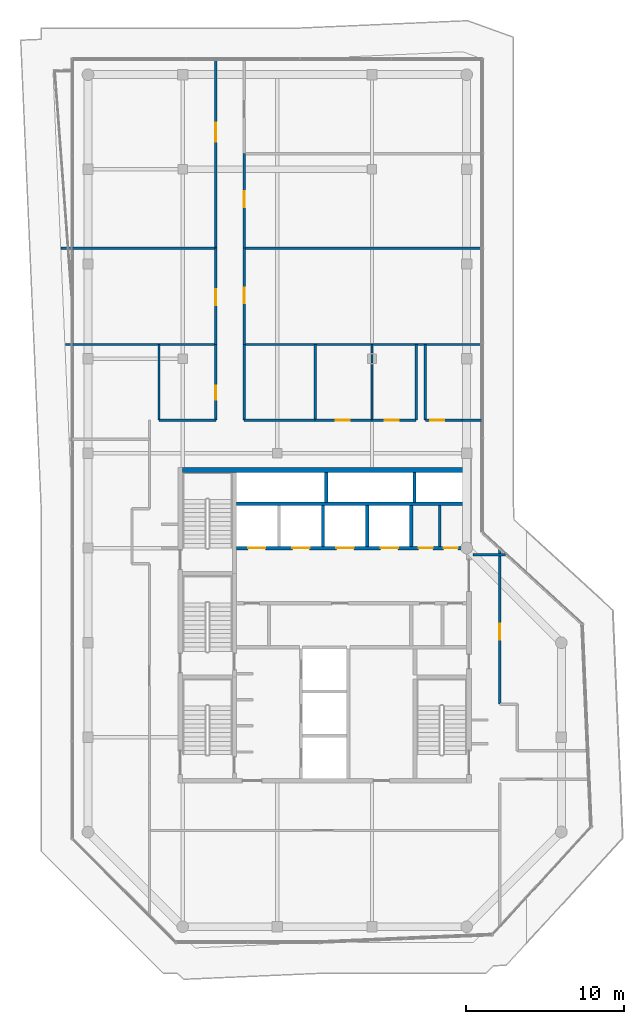
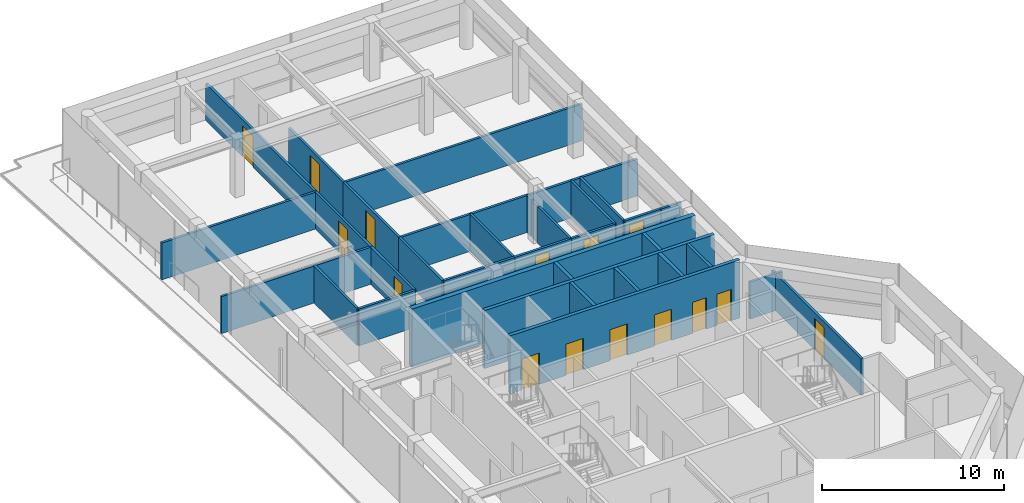
# One storey, part 16 of 19: 34 walls, 15 doors, 15 openings.
"""IFC4 building model written with IfcOpenShell, lengths in metres."""

from ifc_helpers import new_model, si_unit, direction, frame, frame_2d, origin, place, context, subcontext, project, spatial, rectangle, extrude, material, layer, layer_set, type_object, element, fill, save


model = new_model("IFC4")

# Units and contexts
model_context = context("Model", 3, precision=1e-05, world=origin(), true_north=direction((0.0, 1.0)))
body_context = subcontext(model_context, "Body", "Model", "MODEL_VIEW")
ifc_project = project(units=[si_unit("LENGTHUNIT", "METRE"), si_unit("AREAUNIT", "SQUARE_METRE"), si_unit("VOLUMEUNIT", "CUBIC_METRE"), si_unit("PLANEANGLEUNIT", "RADIAN"), si_unit("MASSUNIT", "GRAM", prefix="KILO")], contexts=[model_context])

# Site, building, storey
site_placement = place(None, origin())
site = spatial("IfcSite", under=ifc_project, at=site_placement, CompositionType="ELEMENT")
building_placement = place(site_placement, origin())
building = spatial("IfcBuilding", under=site, at=building_placement, Name="Welwitschia Terrace Campus", CompositionType="ELEMENT")
storey_placement = place(building_placement, frame((0.0, 0.0, 323.0)))
storey = spatial("IfcBuildingStorey", under=building, at=storey_placement, Name="L72", CompositionType="ELEMENT", Elevation=323.0)

# Wall
ifc_material_1 = material(Name="Concrete C32/40", Category="concrete")
ifc_layer_1 = layer(ifc_material_1, 0.175048828125)
ifc_layer_set_1 = layer_set([ifc_layer_1], Name="Concrete C32/40")
wall_type_1 = type_object("IfcWallType", Name="Core partition 175 Concrete C32/40", PredefinedType="PARTITIONING", material=ifc_layer_set_1)
wall_1_placement = place(storey_placement, frame((22.300048828125, 20.10009765625, 0.0), z_axis=(0.0, 0.0, 1.0), x_axis=(0.0, 1.0, 0.0)))
element("IfcWall", 1, at=wall_1_placement, inside=storey, type_object=wall_type_1, Name="Core partition", PredefinedType="PARTITIONING", context=body_context, shape_type="SweptSolid", body=[
    extrude(rectangle(XDim=2.599853515625, YDim=0.175048828125, at=frame_2d((1.2998046875, 0.0))), origin(), (0.0, 0.0, 1.0), 3.89990234375),
])

# Wall, openings, doors
ifc_material_2 = material(Name="Concrete C32/40", Category="concrete")
ifc_layer_2 = layer(ifc_material_2, 0.22509765625)
ifc_layer_set_2 = layer_set([ifc_layer_2], Name="Concrete C32/40")
wall_type_2 = type_object("IfcWallType", Name="Core partition 225 Concrete C32/40", PredefinedType="PARTITIONING", material=ifc_layer_set_2)
wall_2_placement = place(storey_placement, frame((24.0, 20.0, 0.0), z_axis=(0.0, 0.0, 1.0), x_axis=(-1.0, 0.0, 0.0)))
wall_2 = element("IfcWall", 2, at=wall_2_placement, inside=storey, type_object=wall_type_2, Name="Shaft wall", PredefinedType="PARTITIONING", context=body_context, shape_type="SweptSolid", body=[
    extrude(rectangle(XDim=14.60009765625, YDim=0.22509765625, at=frame_2d((7.300048828125, 0.0))), origin(), (0.0, 0.0, 1.0), 3.89990234375),
])
opening_1_placement = place(wall_2_placement, frame((12.75, 0.0, 0.0)))
opening_1 = element("IfcOpeningElement", 3, at=opening_1_placement, cuts=wall_2, Name="Opening LD", PredefinedType="OPENING", context=body_context, shape_type="SweptSolid", body=[
    extrude(rectangle(XDim=1.10009765625, YDim=2.10009765625, at=frame_2d((0.550048828125, 1.050048828125))), frame((0.0, 0.12255859375, 0.0), z_axis=(0.0, -1.0, 0.0), x_axis=(1.0, 0.0, 0.0)), (0.0, 0.0, 1.0), 0.2451171875),
])
opening_2_placement = place(wall_2_placement, frame((9.949951171875, 0.0, 0.0)))
opening_2 = element("IfcOpeningElement", 4, at=opening_2_placement, cuts=wall_2, Name="Opening LD", PredefinedType="OPENING", context=body_context, shape_type="SweptSolid", body=[
    extrude(rectangle(XDim=1.10009765625, YDim=2.10009765625, at=frame_2d((0.550048828125, 1.050048828125))), frame((0.0, 0.12255859375, 0.0), z_axis=(0.0, -1.0, 0.0), x_axis=(1.0, 0.0, 0.0)), (0.0, 0.0, 1.0), 0.2451171875),
])
opening_3_placement = place(wall_2_placement, frame((7.14990234375, 0.0, 0.0)))
opening_3 = element("IfcOpeningElement", 5, at=opening_3_placement, cuts=wall_2, Name="Opening LD", PredefinedType="OPENING", context=body_context, shape_type="SweptSolid", body=[
    extrude(rectangle(XDim=1.10009765625, YDim=2.10009765625, at=frame_2d((0.550048828125, 1.050048828125))), frame((0.0, 0.12255859375, 0.0), z_axis=(0.0, -1.0, 0.0), x_axis=(1.0, 0.0, 0.0)), (0.0, 0.0, 1.0), 0.2451171875),
])
opening_4_placement = place(wall_2_placement, frame((4.35009765625, 0.0, 0.0)))
opening_4 = element("IfcOpeningElement", 6, at=opening_4_placement, cuts=wall_2, Name="Opening LD", PredefinedType="OPENING", context=body_context, shape_type="SweptSolid", body=[
    extrude(rectangle(XDim=1.10009765625, YDim=2.10009765625, at=frame_2d((0.550048828125, 1.050048828125))), frame((0.0, 0.12255859375, 0.0), z_axis=(0.0, -1.0, 0.0), x_axis=(1.0, 0.0, 0.0)), (0.0, 0.0, 1.0), 0.2451171875),
])
opening_5_placement = place(wall_2_placement, frame((2.137451171875, 0.0, 0.0)))
opening_5 = element("IfcOpeningElement", 7, at=opening_5_placement, cuts=wall_2, Name="Opening DR09", PredefinedType="OPENING", context=body_context, shape_type="SweptSolid", body=[
    extrude(rectangle(XDim=0.89990234375, YDim=2.10009765625, at=frame_2d((0.449951171875, 1.050048828125))), frame((0.0, 0.12255859375, 0.0), z_axis=(0.0, -1.0, 0.0), x_axis=(1.0, 0.0, 0.0)), (0.0, 0.0, 1.0), 0.2451171875),
])
opening_6_placement = place(wall_2_placement, frame((0.56201171875, 0.0, 0.0)))
opening_6 = element("IfcOpeningElement", 8, at=opening_6_placement, cuts=wall_2, Name="Opening DR09", PredefinedType="OPENING", context=body_context, shape_type="SweptSolid", body=[
    extrude(rectangle(XDim=0.89990234375, YDim=2.10009765625, at=frame_2d((0.449951171875, 1.050048828125))), frame((0.0, 0.12255859375, 0.0), z_axis=(0.0, -1.0, 0.0), x_axis=(1.0, 0.0, 0.0)), (0.0, 0.0, 1.0), 0.2451171875),
])
ifc_material_3 = material(Name="Steel S275", Category="steel")
door_type_1 = type_object("IfcDoorType", Name="Core door DR09", OperationType="SINGLE_SWING_LEFT", PredefinedType="DOOR", material=ifc_material_3)
door_1_placement = place(opening_5_placement, origin())
door_1 = element("IfcDoor", 9, at=door_1_placement, inside=storey, type_object=door_type_1, Name="Door EH1-D", OperationType="SINGLE_SWING_LEFT", OverallHeight=2.10009765625, OverallWidth=0.89990234375, PredefinedType="DOOR", context=body_context, shape_type="SweptSolid", body=[
    extrude(rectangle(XDim=0.89990234375, YDim=2.10009765625, at=frame_2d((0.449951171875, 1.050048828125))), frame((0.0, 0.02490234375, 0.0), z_axis=(0.0, -1.0, 0.0), x_axis=(1.0, 0.0, 0.0)), (0.0, 0.0, 1.0), 0.050048828125),
])
fill(opening_5, door_1)
door_2_placement = place(opening_6_placement, origin())
door_2 = element("IfcDoor", 10, at=door_2_placement, inside=storey, type_object=door_type_1, Name="Door EH2-D", OperationType="SINGLE_SWING_LEFT", OverallHeight=2.10009765625, OverallWidth=0.89990234375, PredefinedType="DOOR", context=body_context, shape_type="SweptSolid", body=[
    extrude(rectangle(XDim=0.89990234375, YDim=2.10009765625, at=frame_2d((0.449951171875, 1.050048828125))), frame((0.0, 0.02490234375, 0.0), z_axis=(0.0, -1.0, 0.0), x_axis=(1.0, 0.0, 0.0)), (0.0, 0.0, 1.0), 0.050048828125),
])
fill(opening_6, door_2)
ifc_material_4 = material(Name="Stainless steel 304", Category="steel")
door_type_2 = type_object("IfcDoorType", Name="Lift landing door", OperationType="DOUBLE_DOOR_SLIDING", PredefinedType="DOOR", material=ifc_material_4)
door_3_placement = place(opening_1_placement, origin())
door_3 = element("IfcDoor", 11, at=door_3_placement, inside=storey, type_object=door_type_2, Name="Landing door HR1", OperationType="DOUBLE_DOOR_SLIDING", OverallHeight=2.10009765625, OverallWidth=1.10009765625, PredefinedType="DOOR", context=body_context, shape_type="SweptSolid", body=[
    extrude(rectangle(XDim=1.10009765625, YDim=2.10009765625, at=frame_2d((0.550048828125, 1.050048828125))), frame((0.0, 0.02490234375, 0.0), z_axis=(0.0, -1.0, 0.0), x_axis=(1.0, 0.0, 0.0)), (0.0, 0.0, 1.0), 0.050048828125),
])
fill(opening_1, door_3)
door_4_placement = place(opening_2_placement, origin())
door_4 = element("IfcDoor", 12, at=door_4_placement, inside=storey, type_object=door_type_2, Name="Landing door HR2", OperationType="DOUBLE_DOOR_SLIDING", OverallHeight=2.10009765625, OverallWidth=1.10009765625, PredefinedType="DOOR", context=body_context, shape_type="SweptSolid", body=[
    extrude(rectangle(XDim=1.10009765625, YDim=2.10009765625, at=frame_2d((0.550048828125, 1.050048828125))), frame((0.0, 0.02490234375, 0.0), z_axis=(0.0, -1.0, 0.0), x_axis=(1.0, 0.0, 0.0)), (0.0, 0.0, 1.0), 0.050048828125),
])
fill(opening_2, door_4)
door_5_placement = place(opening_3_placement, origin())
door_5 = element("IfcDoor", 13, at=door_5_placement, inside=storey, type_object=door_type_2, Name="Landing door HR3", OperationType="DOUBLE_DOOR_SLIDING", OverallHeight=2.10009765625, OverallWidth=1.10009765625, PredefinedType="DOOR", context=body_context, shape_type="SweptSolid", body=[
    extrude(rectangle(XDim=1.10009765625, YDim=2.10009765625, at=frame_2d((0.550048828125, 1.050048828125))), frame((0.0, 0.02490234375, 0.0), z_axis=(0.0, -1.0, 0.0), x_axis=(1.0, 0.0, 0.0)), (0.0, 0.0, 1.0), 0.050048828125),
])
fill(opening_3, door_5)
door_6_placement = place(opening_4_placement, origin())
door_6 = element("IfcDoor", 14, at=door_6_placement, inside=storey, type_object=door_type_2, Name="Landing door HR4", OperationType="DOUBLE_DOOR_SLIDING", OverallHeight=2.10009765625, OverallWidth=1.10009765625, PredefinedType="DOOR", context=body_context, shape_type="SweptSolid", body=[
    extrude(rectangle(XDim=1.10009765625, YDim=2.10009765625, at=frame_2d((0.550048828125, 1.050048828125))), frame((0.0, 0.02490234375, 0.0), z_axis=(0.0, -1.0, 0.0), x_axis=(1.0, 0.0, 0.0)), (0.0, 0.0, 1.0), 0.050048828125),
])
fill(opening_4, door_6)

# Walls
wall_3_placement = place(storey_placement, frame((9.39990234375, 22.800048828125, 0.0), z_axis=(0.0, 0.0, 1.0), x_axis=(1.0, 0.0, 0.0)))
element("IfcWall", 15, at=wall_3_placement, inside=storey, type_object=wall_type_2, Name="Shaft wall", PredefinedType="PARTITIONING", context=body_context, shape_type="SweptSolid", body=[
    extrude(rectangle(XDim=14.60009765625, YDim=0.22509765625, at=frame_2d((7.300048828125, 0.0))), origin(), (0.0, 0.0, 1.0), 3.89990234375),
])
wall_4_placement = place(storey_placement, frame((20.5, 20.10009765625, 0.0), z_axis=(0.0, 0.0, 1.0), x_axis=(0.0, 1.0, 0.0)))
element("IfcWall", 16, at=wall_4_placement, inside=storey, type_object=wall_type_2, Name="Shaft wall", PredefinedType="PARTITIONING", context=body_context, shape_type="SweptSolid", body=[
    extrude(rectangle(XDim=2.599853515625, YDim=0.22509765625, at=frame_2d((1.2998046875, 0.0))), origin(), (0.0, 0.0, 1.0), 3.89990234375),
])
ifc_material_5 = material(Name="Concrete C50/60", Category="concrete")
ifc_layer_3 = layer(ifc_material_5, 0.199951171875)
ifc_layer_set_3 = layer_set([ifc_layer_3], Name="Concrete C50/60")
wall_type_3 = type_object("IfcWallType", Name="Core wall 200 Concrete C50/60", PredefinedType="SHEAR", material=ifc_layer_set_3)
for number, where, z_axis, x_axis, name in (
    (17, (15.10009765625, 22.89990234375, 0.0), (0.0, 0.0, 1.0), (0.0, 1.0, 0.0), "Core wall"),
    (18, (20.699951171875, 22.89990234375, 0.0), (0.0, 0.0, 1.0), (0.0, 1.0, 0.0), "Core wall"),
):
    element("IfcWall", number, at=place(storey_placement, frame(where, z_axis=z_axis, x_axis=x_axis)), inside=storey, type_object=wall_type_3, Name=name, PredefinedType="SHEAR", context=body_context, shape_type="SweptSolid", body=[
        extrude(rectangle(XDim=1.900146484375, YDim=0.199951171875, at=frame_2d((0.9501953125, 0.0))), origin(), (0.0, 0.0, 1.0), 3.89990234375),
    ])
ifc_material_6 = material(Name="Concrete C50/60", Category="concrete")
ifc_layer_4 = layer(ifc_material_6, 0.300048828125)
ifc_layer_set_4 = layer_set([ifc_layer_4], Name="Concrete C50/60")
wall_type_4 = type_object("IfcWallType", Name="Core wall 300 Concrete C50/60", PredefinedType="SHEAR", material=ifc_layer_set_4)
wall_5_placement = place(storey_placement, frame((6.0, 24.949951171875, 0.0), z_axis=(0.0, 0.0, 1.0), x_axis=(1.0, 0.0, 0.0)))
element("IfcWall", 19, at=wall_5_placement, inside=storey, type_object=wall_type_4, Name="Core outer wall", PredefinedType="SHEAR", context=body_context, shape_type="SweptSolid", body=[
    extrude(rectangle(XDim=18.0, YDim=0.300048828125, at=frame_2d((9.0, 0.0))), origin(), (0.0, 0.0, 1.0), 3.89990234375),
])
ifc_material_7 = material(Name="Gypsum board on steel studs", Category="steel")
ifc_layer_5 = layer(ifc_material_7, 0.14990234375)
ifc_layer_set_5 = layer_set([ifc_layer_5], Name="Gypsum board on steel studs")
wall_type_5 = type_object("IfcWallType", Name="Corridor partition 150 EI 30", PredefinedType="PARTITIONING", material=ifc_layer_set_5)
wall_6_placement = place(storey_placement, frame((-1.7099609375, 39.0, 0.0), z_axis=(0.0, 0.0, 1.0), x_axis=(1.0, 0.0, 0.0)))
element("IfcWall", 20, at=wall_6_placement, inside=storey, type_object=wall_type_5, Name="Partition", PredefinedType="PARTITIONING", context=body_context, shape_type="SweptSolid", body=[
    extrude(rectangle(XDim=9.81005859375, YDim=0.14990234375, at=frame_2d((4.905029296875, 0.0))), origin(), (0.0, 0.0, 1.0), 2.47998046875),
])
wall_7_placement = place(storey_placement, frame((-1.43994140625, 32.89990234375, 0.0), z_axis=(0.0, 0.0, 1.0), x_axis=(1.0, 0.0, 0.0)))
element("IfcWall", 21, at=wall_7_placement, inside=storey, type_object=wall_type_5, Name="Partition", PredefinedType="PARTITIONING", context=body_context, shape_type="SweptSolid", body=[
    extrude(rectangle(XDim=9.5400390625, YDim=0.14990234375, at=frame_2d((4.77001953125, 0.0))), origin(), (0.0, 0.0, 1.0), 2.47998046875),
])
wall_8_placement = place(storey_placement, frame((4.5, 28.10009765625, 0.0), z_axis=(0.0, 0.0, 1.0), x_axis=(0.0, 1.0, 0.0)))
element("IfcWall", 22, at=wall_8_placement, inside=storey, type_object=wall_type_5, Name="Partition", PredefinedType="PARTITIONING", context=body_context, shape_type="SweptSolid", body=[
    extrude(rectangle(XDim=4.7998046875, YDim=0.14990234375, at=frame_2d((2.39990234375, 0.0))), origin(), (0.0, 0.0, 1.0), 2.47998046875),
])
wall_9_placement = place(storey_placement, frame((4.5, 28.10009765625, 0.0), z_axis=(0.0, 0.0, 1.0), x_axis=(1.0, 0.0, 0.0)))
element("IfcWall", 23, at=wall_9_placement, inside=storey, type_object=wall_type_5, Name="Partition", PredefinedType="PARTITIONING", context=body_context, shape_type="SweptSolid", body=[
    extrude(rectangle(XDim=3.60009765625, YDim=0.14990234375, at=frame_2d((1.800048828125, 0.0))), origin(), (0.0, 0.0, 1.0), 2.47998046875),
])

# Wall, opening, door
wall_10_placement = place(storey_placement, frame((8.10009765625, 28.10009765625, 0.0), z_axis=(0.0, 0.0, 1.0), x_axis=(0.0, 1.0, 0.0)))
wall_10 = element("IfcWall", 24, at=wall_10_placement, inside=storey, type_object=wall_type_5, Name="Partition", PredefinedType="PARTITIONING", context=body_context, shape_type="SweptSolid", body=[
    extrude(rectangle(XDim=4.7998046875, YDim=0.14990234375, at=frame_2d((2.39990234375, 0.0))), origin(), (0.0, 0.0, 1.0), 2.47998046875),
])
opening_7_placement = place(wall_10_placement, frame((1.300048828125, 0.0, 0.0)))
opening_7 = element("IfcOpeningElement", 25, at=opening_7_placement, cuts=wall_10, Name="Opening DI09", PredefinedType="OPENING", context=body_context, shape_type="SweptSolid", body=[
    extrude(rectangle(XDim=0.89990234375, YDim=2.10009765625, at=frame_2d((0.449951171875, 1.050048828125))), frame((0.0, 0.0849609375, 0.0), z_axis=(0.0, -1.0, 0.0), x_axis=(1.0, 0.0, 0.0)), (0.0, 0.0, 1.0), 0.169921875),
])
ifc_material_8 = material(Name="Timber veneered door", Category="wood")
door_type_3 = type_object("IfcDoorType", Name="Interior door DI09", OperationType="NOTDEFINED", PredefinedType="DOOR", material=ifc_material_8)
door_7_placement = place(opening_7_placement, origin())
door_7 = element("IfcDoor", 26, at=door_7_placement, inside=storey, type_object=door_type_3, Name="Door L72 1256", OperationType="SINGLE_SWING_LEFT", OverallHeight=2.10009765625, OverallWidth=0.89990234375, PredefinedType="DOOR", context=body_context, shape_type="SweptSolid", body=[
    extrude(rectangle(XDim=0.89990234375, YDim=2.10009765625, at=frame_2d((0.449951171875, 1.050048828125))), frame((0.0, 0.02490234375, 0.0), z_axis=(0.0, -1.0, 0.0), x_axis=(1.0, 0.0, 0.0)), (0.0, 0.0, 1.0), 0.050048828125),
])
fill(opening_7, door_7)

wall_11_placement = place(storey_placement, frame((8.10009765625, 32.89990234375, 0.0), z_axis=(0.0, 0.0, 1.0), x_axis=(0.0, 1.0, 0.0)))
wall_11 = element("IfcWall", 27, at=wall_11_placement, inside=storey, type_object=wall_type_5, Name="Partition", PredefinedType="PARTITIONING", context=body_context, shape_type="SweptSolid", body=[
    extrude(rectangle(XDim=6.10009765625, YDim=0.14990234375, at=frame_2d((3.050048828125, 0.0))), origin(), (0.0, 0.0, 1.0), 2.47998046875),
])
opening_8_placement = place(wall_11_placement, frame((2.5, 0.0, 0.0)))
opening_8 = element("IfcOpeningElement", 28, at=opening_8_placement, cuts=wall_11, Name="Opening DI10", PredefinedType="OPENING", context=body_context, shape_type="SweptSolid", body=[
    extrude(rectangle(XDim=1.0, YDim=2.10009765625, at=frame_2d((0.5, 1.050048828125))), frame((0.0, 0.0849609375, 0.0), z_axis=(0.0, -1.0, 0.0), x_axis=(1.0, 0.0, 0.0)), (0.0, 0.0, 1.0), 0.169921875),
])
ifc_material_9 = material(Name="Timber veneered door", Category="wood")
door_type_4 = type_object("IfcDoorType", Name="Interior door DI10", OperationType="NOTDEFINED", PredefinedType="DOOR", material=ifc_material_9)
door_8_placement = place(opening_8_placement, origin())
door_8 = element("IfcDoor", 29, at=door_8_placement, inside=storey, type_object=door_type_4, Name="Door L72 1257", OperationType="SINGLE_SWING_RIGHT", OverallHeight=2.10009765625, OverallWidth=1.0, PredefinedType="DOOR", context=body_context, shape_type="SweptSolid", body=[
    extrude(rectangle(XDim=1.0, YDim=2.10009765625, at=frame_2d((0.5, 1.050048828125))), frame((0.0, 0.02490234375, 0.0), z_axis=(0.0, -1.0, 0.0), x_axis=(1.0, 0.0, 0.0)), (0.0, 0.0, 1.0), 0.050048828125),
])
fill(opening_8, door_8)

wall_12_placement = place(storey_placement, frame((8.10009765625, 39.0, 0.0), z_axis=(0.0, 0.0, 1.0), x_axis=(0.0, 1.0, 0.0)))
wall_12 = element("IfcWall", 30, at=wall_12_placement, inside=storey, type_object=wall_type_5, Name="Partition", PredefinedType="PARTITIONING", context=body_context, shape_type="SweptSolid", body=[
    extrude(rectangle(XDim=11.969970703125, YDim=0.14990234375, at=frame_2d((5.98486328125, 0.0))), origin(), (0.0, 0.0, 1.0), 2.47998046875),
])
opening_9_placement = place(wall_12_placement, frame((6.75, 0.0, 0.0)))
opening_9 = element("IfcOpeningElement", 31, at=opening_9_placement, cuts=wall_12, Name="Opening DI12", PredefinedType="OPENING", context=body_context, shape_type="SweptSolid", body=[
    extrude(rectangle(XDim=1.199951171875, YDim=2.10009765625, at=frame_2d((0.60009765625, 1.050048828125))), frame((0.0, 0.0849609375, 0.0), z_axis=(0.0, -1.0, 0.0), x_axis=(1.0, 0.0, 0.0)), (0.0, 0.0, 1.0), 0.169921875),
])
ifc_material_10 = material(Name="Timber veneered door", Category="wood")
door_type_5 = type_object("IfcDoorType", Name="Interior door DI12", OperationType="NOTDEFINED", PredefinedType="DOOR", material=ifc_material_10)
door_9_placement = place(opening_9_placement, origin())
door_9 = element("IfcDoor", 32, at=door_9_placement, inside=storey, type_object=door_type_5, Name="Door L72 1258", OperationType="SINGLE_SWING_LEFT", OverallHeight=2.10009765625, OverallWidth=1.199951171875, PredefinedType="DOOR", context=body_context, shape_type="SweptSolid", body=[
    extrude(rectangle(XDim=1.199951171875, YDim=2.10009765625, at=frame_2d((0.60009765625, 1.050048828125))), frame((0.0, 0.02490234375, 0.0), z_axis=(0.0, -1.0, 0.0), x_axis=(1.0, 0.0, 0.0)), (0.0, 0.0, 1.0), 0.050048828125),
])
fill(opening_9, door_9)

# Walls
wall_13_placement = place(storey_placement, frame((9.89990234375, 28.10009765625, 0.0), z_axis=(0.0, 0.0, 1.0), x_axis=(0.0, 1.0, 0.0)))
element("IfcWall", 33, at=wall_13_placement, inside=storey, type_object=wall_type_5, Name="Partition", PredefinedType="PARTITIONING", context=body_context, shape_type="SweptSolid", body=[
    extrude(rectangle(XDim=4.7998046875, YDim=0.14990234375, at=frame_2d((2.39990234375, 0.0))), origin(), (0.0, 0.0, 1.0), 2.47998046875),
])
wall_14_placement = place(storey_placement, frame((9.89990234375, 28.10009765625, 0.0), z_axis=(0.0, 0.0, 1.0), x_axis=(1.0, 0.0, 0.0)))
element("IfcWall", 34, at=wall_14_placement, inside=storey, type_object=wall_type_5, Name="Partition", PredefinedType="PARTITIONING", context=body_context, shape_type="SweptSolid", body=[
    extrude(rectangle(XDim=4.5, YDim=0.14990234375, at=frame_2d((2.25, 0.0))), origin(), (0.0, 0.0, 1.0), 2.47998046875),
])
wall_15_placement = place(storey_placement, frame((9.89990234375, 32.89990234375, 0.0), z_axis=(0.0, 0.0, 1.0), x_axis=(1.0, 0.0, 0.0)))
element("IfcWall", 35, at=wall_15_placement, inside=storey, type_object=wall_type_5, Name="Partition", PredefinedType="PARTITIONING", context=body_context, shape_type="SweptSolid", body=[
    extrude(rectangle(XDim=15.0751953125, YDim=0.14990234375, at=frame_2d((7.53759765625, 0.0))), origin(), (0.0, 0.0, 1.0), 2.47998046875),
])

# Wall, opening, door
wall_16_placement = place(storey_placement, frame((9.89990234375, 39.0, 0.0), z_axis=(0.0, 0.0, 1.0), x_axis=(0.0, -1.0, 0.0)))
wall_16 = element("IfcWall", 36, at=wall_16_placement, inside=storey, type_object=wall_type_5, Name="Partition", PredefinedType="PARTITIONING", context=body_context, shape_type="SweptSolid", body=[
    extrude(rectangle(XDim=6.10009765625, YDim=0.14990234375, at=frame_2d((3.050048828125, 0.0))), origin(), (0.0, 0.0, 1.0), 2.47998046875),
])
opening_10_placement = place(wall_16_placement, frame((2.5, 0.0, 0.0)))
opening_10 = element("IfcOpeningElement", 37, at=opening_10_placement, cuts=wall_16, Name="Opening DI10", PredefinedType="OPENING", context=body_context, shape_type="SweptSolid", body=[
    extrude(rectangle(XDim=1.0, YDim=2.10009765625, at=frame_2d((0.5, 1.050048828125))), frame((0.0, 0.0849609375, 0.0), z_axis=(0.0, -1.0, 0.0), x_axis=(1.0, 0.0, 0.0)), (0.0, 0.0, 1.0), 0.169921875),
])
door_10_placement = place(opening_10_placement, origin())
door_10 = element("IfcDoor", 38, at=door_10_placement, inside=storey, type_object=door_type_4, Name="Door L72 1259", OperationType="SINGLE_SWING_RIGHT", OverallHeight=2.10009765625, OverallWidth=1.0, PredefinedType="DOOR", context=body_context, shape_type="SweptSolid", body=[
    extrude(rectangle(XDim=1.0, YDim=2.10009765625, at=frame_2d((0.5, 1.050048828125))), frame((0.0, 0.02490234375, 0.0), z_axis=(0.0, -1.0, 0.0), x_axis=(1.0, 0.0, 0.0)), (0.0, 0.0, 1.0), 0.050048828125),
])
fill(opening_10, door_10)

# Wall
wall_17_placement = place(storey_placement, frame((9.89990234375, 39.0, 0.0), z_axis=(0.0, 0.0, 1.0), x_axis=(1.0, 0.0, 0.0)))
element("IfcWall", 39, at=wall_17_placement, inside=storey, type_object=wall_type_5, Name="Partition", PredefinedType="PARTITIONING", context=body_context, shape_type="SweptSolid", body=[
    extrude(rectangle(XDim=15.0751953125, YDim=0.14990234375, at=frame_2d((7.53759765625, 0.0))), origin(), (0.0, 0.0, 1.0), 2.47998046875),
])

# Wall, opening, door
wall_18_placement = place(storey_placement, frame((9.89990234375, 45.0, 0.0), z_axis=(0.0, 0.0, 1.0), x_axis=(0.0, -1.0, 0.0)))
wall_18 = element("IfcWall", 40, at=wall_18_placement, inside=storey, type_object=wall_type_5, Name="Partition", PredefinedType="PARTITIONING", context=body_context, shape_type="SweptSolid", body=[
    extrude(rectangle(XDim=6.0, YDim=0.14990234375, at=frame_2d((3.0, 0.0))), origin(), (0.0, 0.0, 1.0), 2.47998046875),
])
opening_11_placement = place(wall_18_placement, frame((2.39990234375, 0.0, 0.0)))
opening_11 = element("IfcOpeningElement", 41, at=opening_11_placement, cuts=wall_18, Name="Opening DI10", PredefinedType="OPENING", context=body_context, shape_type="SweptSolid", body=[
    extrude(rectangle(XDim=1.0, YDim=2.10009765625, at=frame_2d((0.5, 1.050048828125))), frame((0.0, 0.0849609375, 0.0), z_axis=(0.0, -1.0, 0.0), x_axis=(1.0, 0.0, 0.0)), (0.0, 0.0, 1.0), 0.169921875),
])
door_11_placement = place(opening_11_placement, origin())
door_11 = element("IfcDoor", 42, at=door_11_placement, inside=storey, type_object=door_type_4, Name="Door L72 1260", OperationType="SINGLE_SWING_LEFT", OverallHeight=2.10009765625, OverallWidth=1.0, PredefinedType="DOOR", context=body_context, shape_type="SweptSolid", body=[
    extrude(rectangle(XDim=1.0, YDim=2.10009765625, at=frame_2d((0.5, 1.050048828125))), frame((0.0, 0.02490234375, 0.0), z_axis=(0.0, -1.0, 0.0), x_axis=(1.0, 0.0, 0.0)), (0.0, 0.0, 1.0), 0.050048828125),
])
fill(opening_11, door_11)

# Wall
wall_19_placement = place(storey_placement, frame((14.39990234375, 28.10009765625, 0.0), z_axis=(0.0, 0.0, 1.0), x_axis=(0.0, 1.0, 0.0)))
element("IfcWall", 43, at=wall_19_placement, inside=storey, type_object=wall_type_5, Name="Partition", PredefinedType="PARTITIONING", context=body_context, shape_type="SweptSolid", body=[
    extrude(rectangle(XDim=4.7998046875, YDim=0.14990234375, at=frame_2d((2.39990234375, 0.0))), origin(), (0.0, 0.0, 1.0), 2.47998046875),
])

# Wall, opening, door
wall_20_placement = place(storey_placement, frame((14.39990234375, 28.10009765625, 0.0), z_axis=(0.0, 0.0, 1.0), x_axis=(1.0, 0.0, 0.0)))
wall_20 = element("IfcWall", 44, at=wall_20_placement, inside=storey, type_object=wall_type_5, Name="Partition", PredefinedType="PARTITIONING", context=body_context, shape_type="SweptSolid", body=[
    extrude(rectangle(XDim=3.60009765625, YDim=0.14990234375, at=frame_2d((1.800048828125, 0.0))), origin(), (0.0, 0.0, 1.0), 2.47998046875),
])
opening_12_placement = place(wall_20_placement, frame((1.300048828125, 0.0, 0.0)))
opening_12 = element("IfcOpeningElement", 45, at=opening_12_placement, cuts=wall_20, Name="Opening DI09", PredefinedType="OPENING", context=body_context, shape_type="SweptSolid", body=[
    extrude(rectangle(XDim=0.89990234375, YDim=2.10009765625, at=frame_2d((0.449951171875, 1.050048828125))), frame((0.0, 0.0849609375, 0.0), z_axis=(0.0, -1.0, 0.0), x_axis=(1.0, 0.0, 0.0)), (0.0, 0.0, 1.0), 0.169921875),
])
door_12_placement = place(opening_12_placement, origin())
door_12 = element("IfcDoor", 46, at=door_12_placement, inside=storey, type_object=door_type_3, Name="Door L72 1262", OperationType="SINGLE_SWING_LEFT", OverallHeight=2.10009765625, OverallWidth=0.89990234375, PredefinedType="DOOR", context=body_context, shape_type="SweptSolid", body=[
    extrude(rectangle(XDim=0.89990234375, YDim=2.10009765625, at=frame_2d((0.449951171875, 1.050048828125))), frame((0.0, 0.02490234375, 0.0), z_axis=(0.0, -1.0, 0.0), x_axis=(1.0, 0.0, 0.0)), (0.0, 0.0, 1.0), 0.050048828125),
])
fill(opening_12, door_12)

# Wall
wall_21_placement = place(storey_placement, frame((18.0, 28.10009765625, 0.0), z_axis=(0.0, 0.0, 1.0), x_axis=(0.0, 1.0, 0.0)))
element("IfcWall", 47, at=wall_21_placement, inside=storey, type_object=wall_type_5, Name="Partition", PredefinedType="PARTITIONING", context=body_context, shape_type="SweptSolid", body=[
    extrude(rectangle(XDim=3.52978515625, YDim=0.14990234375, at=frame_2d((1.764892578125, 0.0))), origin(), (0.0, 0.0, 1.0), 2.47998046875),
])

# Wall, opening, door
wall_22_placement = place(storey_placement, frame((18.0, 28.10009765625, 0.0), z_axis=(0.0, 0.0, 1.0), x_axis=(1.0, 0.0, 0.0)))
wall_22 = element("IfcWall", 48, at=wall_22_placement, inside=storey, type_object=wall_type_5, Name="Partition", PredefinedType="PARTITIONING", context=body_context, shape_type="SweptSolid", body=[
    extrude(rectangle(XDim=2.800048828125, YDim=0.14990234375, at=frame_2d((1.39990234375, 0.0))), origin(), (0.0, 0.0, 1.0), 2.47998046875),
])
opening_13_placement = place(wall_22_placement, frame((0.800048828125, 0.0, 0.0)))
opening_13 = element("IfcOpeningElement", 49, at=opening_13_placement, cuts=wall_22, Name="Opening DI09", PredefinedType="OPENING", context=body_context, shape_type="SweptSolid", body=[
    extrude(rectangle(XDim=0.89990234375, YDim=2.10009765625, at=frame_2d((0.449951171875, 1.050048828125))), frame((0.0, 0.0849609375, 0.0), z_axis=(0.0, -1.0, 0.0), x_axis=(1.0, 0.0, 0.0)), (0.0, 0.0, 1.0), 0.169921875),
])
door_13_placement = place(opening_13_placement, origin())
door_13 = element("IfcDoor", 50, at=door_13_placement, inside=storey, type_object=door_type_3, Name="Door L72 1263", OperationType="SINGLE_SWING_RIGHT", OverallHeight=2.10009765625, OverallWidth=0.89990234375, PredefinedType="DOOR", context=body_context, shape_type="SweptSolid", body=[
    extrude(rectangle(XDim=0.89990234375, YDim=2.10009765625, at=frame_2d((0.449951171875, 1.050048828125))), frame((0.0, 0.02490234375, 0.0), z_axis=(0.0, -1.0, 0.0), x_axis=(1.0, 0.0, 0.0)), (0.0, 0.0, 1.0), 0.050048828125),
])
fill(opening_13, door_13)

# Walls
wall_23_placement = place(storey_placement, frame((18.0, 31.735595703125, 0.0), z_axis=(0.0, 0.0, 1.0), x_axis=(0.0, 1.0, 0.0)))
element("IfcWall", 51, at=wall_23_placement, inside=storey, type_object=wall_type_5, Name="Partition", PredefinedType="PARTITIONING", context=body_context, shape_type="SweptSolid", body=[
    extrude(rectangle(XDim=0.52880859375, YDim=0.14990234375, at=frame_2d((0.264404296875, 0.0))), origin(), (0.0, 0.0, 1.0), 2.47998046875),
])
wall_24_placement = place(storey_placement, frame((18.0, 32.3701171875, 0.0), z_axis=(0.0, 0.0, 1.0), x_axis=(0.0, 1.0, 0.0)))
element("IfcWall", 52, at=wall_24_placement, inside=storey, type_object=wall_type_5, Name="Partition", PredefinedType="PARTITIONING", context=body_context, shape_type="SweptSolid", body=[
    extrude(rectangle(XDim=0.52978515625, YDim=0.14990234375, at=frame_2d((0.264892578125, 0.0))), origin(), (0.0, 0.0, 1.0), 2.47998046875),
])
for number, where, z_axis, x_axis, name in (
    (53, (20.800048828125, 28.10009765625, 0.0), (0.0, 0.0, 1.0), (0.0, 1.0, 0.0), "Partition"),
    (54, (21.3798828125, 28.10009765625, 0.0), (0.0, 0.0, 1.0), (0.0, 1.0, 0.0), "Partition"),
):
    element("IfcWall", number, at=place(storey_placement, frame(where, z_axis=z_axis, x_axis=x_axis)), inside=storey, type_object=wall_type_5, Name=name, PredefinedType="PARTITIONING", context=body_context, shape_type="SweptSolid", body=[
        extrude(rectangle(XDim=4.7998046875, YDim=0.14990234375, at=frame_2d((2.39990234375, 0.0))), origin(), (0.0, 0.0, 1.0), 2.47998046875),
    ])

# Wall, opening, door
wall_25_placement = place(storey_placement, frame((21.3798828125, 28.10009765625, 0.0), z_axis=(0.0, 0.0, 1.0), x_axis=(1.0, 0.0, 0.0)))
wall_25 = element("IfcWall", 55, at=wall_25_placement, inside=storey, type_object=wall_type_5, Name="Partition", PredefinedType="PARTITIONING", context=body_context, shape_type="SweptSolid", body=[
    extrude(rectangle(XDim=2.31005859375, YDim=0.14990234375, at=frame_2d((1.155029296875, 0.0))), origin(), (0.0, 0.0, 1.0), 2.47998046875),
])
opening_14_placement = place(wall_25_placement, frame((0.31005859375, 0.0, 0.0)))
opening_14 = element("IfcOpeningElement", 56, at=opening_14_placement, cuts=wall_25, Name="Opening DI09", PredefinedType="OPENING", context=body_context, shape_type="SweptSolid", body=[
    extrude(rectangle(XDim=0.89990234375, YDim=2.10009765625, at=frame_2d((0.449951171875, 1.050048828125))), frame((0.0, 0.0849609375, 0.0), z_axis=(0.0, -1.0, 0.0), x_axis=(1.0, 0.0, 0.0)), (0.0, 0.0, 1.0), 0.169921875),
])
door_14_placement = place(opening_14_placement, origin())
door_14 = element("IfcDoor", 57, at=door_14_placement, inside=storey, type_object=door_type_3, Name="Door L72 1264", OperationType="SINGLE_SWING_LEFT", OverallHeight=2.10009765625, OverallWidth=0.89990234375, PredefinedType="DOOR", context=body_context, shape_type="SweptSolid", body=[
    extrude(rectangle(XDim=0.89990234375, YDim=2.10009765625, at=frame_2d((0.449951171875, 1.050048828125))), frame((0.0, 0.02490234375, 0.0), z_axis=(0.0, -1.0, 0.0), x_axis=(1.0, 0.0, 0.0)), (0.0, 0.0, 1.0), 0.050048828125),
])
fill(opening_14, door_14)

# Walls
wall_26_placement = place(storey_placement, frame((23.68994140625, 28.10009765625, 0.0), z_axis=(0.0, 0.0, 1.0), x_axis=(1.0, 0.0, 0.0)))
element("IfcWall", 58, at=wall_26_placement, inside=storey, type_object=wall_type_5, Name="Partition", PredefinedType="PARTITIONING", context=body_context, shape_type="SweptSolid", body=[
    extrude(rectangle(XDim=1.2900390625, YDim=0.14990234375, at=frame_2d((0.64501953125, 0.0))), origin(), (0.0, 0.0, 1.0), 2.47998046875),
])
wall_27_placement = place(storey_placement, frame((24.39990234375, 19.580078125, 0.0), z_axis=(0.0, 0.0, 1.0), x_axis=(1.0, 0.0, 0.0)))
element("IfcWall", 59, at=wall_27_placement, inside=storey, type_object=wall_type_5, Name="Partition", PredefinedType="PARTITIONING", context=body_context, shape_type="SweptSolid", body=[
    extrude(rectangle(XDim=2.074951171875, YDim=0.14990234375, at=frame_2d((1.03759765625, 0.0))), origin(), (0.0, 0.0, 1.0), 2.47998046875),
])

# Wall, opening, door
wall_28_placement = place(storey_placement, frame((26.10009765625, 19.923583984375, 0.0), z_axis=(0.0, 0.0, 1.0), x_axis=(0.0, -1.0, 0.0)))
wall_28 = element("IfcWall", 60, at=wall_28_placement, inside=storey, type_object=wall_type_5, Name="Partition", PredefinedType="PARTITIONING", context=body_context, shape_type="SweptSolid", body=[
    extrude(rectangle(XDim=9.823486328125, YDim=0.14990234375, at=frame_2d((4.91162109375, 0.0))), origin(), (0.0, 0.0, 1.0), 2.47998046875),
])
opening_15_placement = place(wall_28_placement, frame((4.7236328125, 0.0, 0.0)))
opening_15 = element("IfcOpeningElement", 61, at=opening_15_placement, cuts=wall_28, Name="Opening DI10", PredefinedType="OPENING", context=body_context, shape_type="SweptSolid", body=[
    extrude(rectangle(XDim=1.0, YDim=2.10009765625, at=frame_2d((0.5, 1.050048828125))), frame((0.0, 0.0849609375, 0.0), z_axis=(0.0, -1.0, 0.0), x_axis=(1.0, 0.0, 0.0)), (0.0, 0.0, 1.0), 0.169921875),
])
door_15_placement = place(opening_15_placement, origin())
door_15 = element("IfcDoor", 62, at=door_15_placement, inside=storey, type_object=door_type_4, Name="Door L72 1266", OperationType="SINGLE_SWING_LEFT", OverallHeight=2.10009765625, OverallWidth=1.0, PredefinedType="DOOR", context=body_context, shape_type="SweptSolid", body=[
    extrude(rectangle(XDim=1.0, YDim=2.10009765625, at=frame_2d((0.5, 1.050048828125))), frame((0.0, 0.02490234375, 0.0), z_axis=(0.0, -1.0, 0.0), x_axis=(1.0, 0.0, 0.0)), (0.0, 0.0, 1.0), 0.050048828125),
])
fill(opening_15, door_15)

# Walls
ifc_material_11 = material(Name="Concrete C32/40", Category="concrete")
ifc_layer_6 = layer(ifc_material_11, 0.199951171875)
ifc_layer_set_6 = layer_set([ifc_layer_6], Name="Concrete C32/40")
wall_type_6 = type_object("IfcWallType", Name="Shaft wall 200 Concrete C32/40", PredefinedType="SOLIDWALL", material=ifc_layer_set_6)
for number, where, z_axis, x_axis, name in (
    (63, (14.89990234375, 20.10009765625, 0.0), (0.0, 0.0, 1.0), (0.0, 1.0, 0.0), "Shaft wall"),
    (64, (17.699951171875, 20.10009765625, 0.0), (0.0, 0.0, 1.0), (0.0, 1.0, 0.0), "Shaft wall"),
):
    element("IfcWall", number, at=place(storey_placement, frame(where, z_axis=z_axis, x_axis=x_axis)), inside=storey, type_object=wall_type_6, Name=name, PredefinedType="SOLIDWALL", context=body_context, shape_type="SweptSolid", body=[
        extrude(rectangle(XDim=2.599853515625, YDim=0.199951171875, at=frame_2d((1.2998046875, 0.0))), origin(), (0.0, 0.0, 1.0), 3.89990234375),
    ])

save(model, "model.ifc")
